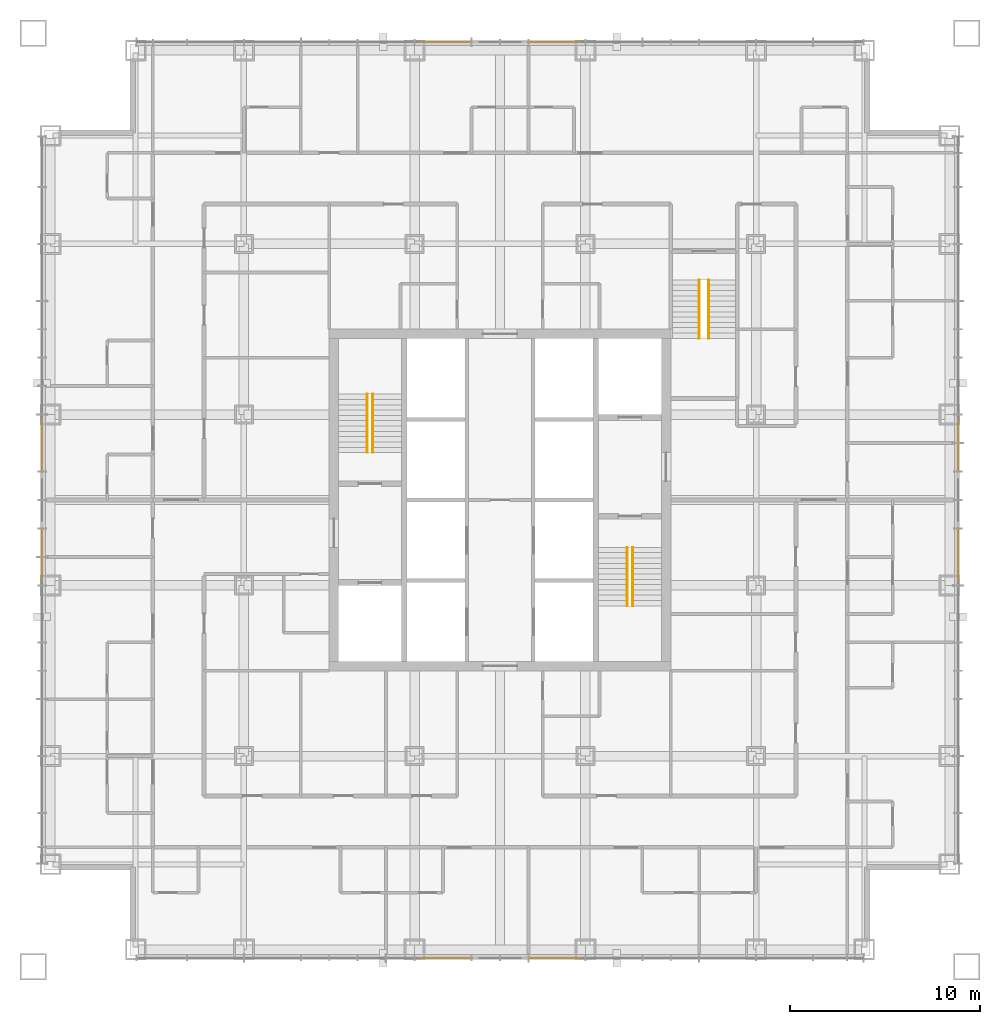
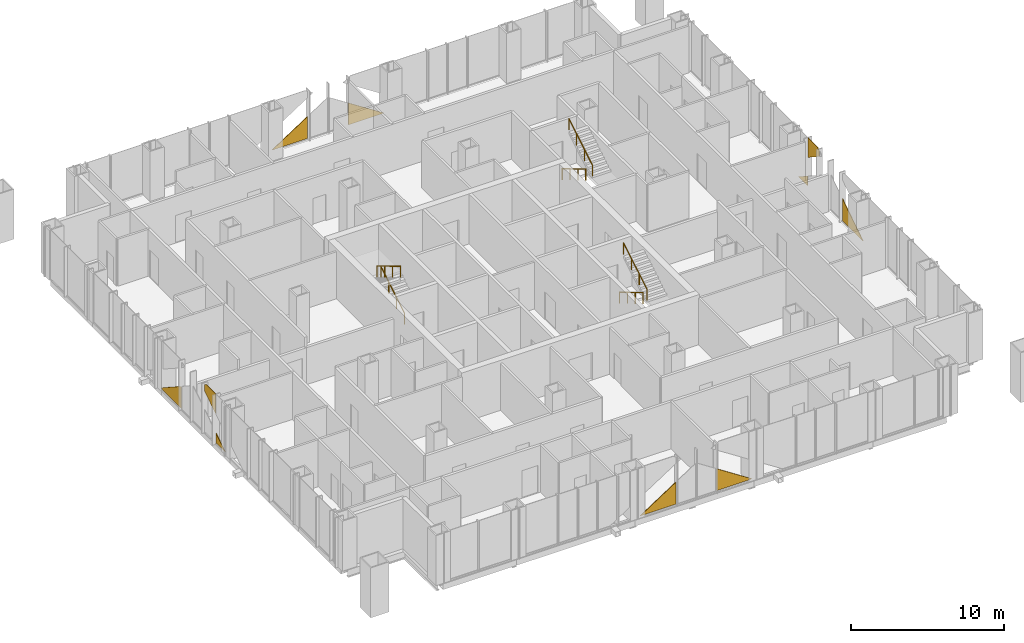
# One storey, part 14 of 16: 10 coverings, 6 railings.
"""IFC4 building model written with IfcOpenShell, lengths in metres."""

from ifc_helpers import new_model, si_unit, direction, frame, origin, origin_2d, place, context, subcontext, project, spatial, polyline, circle, outline, extrude, material, layer, layer_set, type_object, element, save


model = new_model("IFC4")

# Units and contexts
model_context = context("Model", 3, precision=1e-05, world=origin(), true_north=direction((0.0, 1.0)))
body_context = subcontext(model_context, "Body", "Model", "MODEL_VIEW")
ifc_project = project(units=[si_unit("LENGTHUNIT", "METRE"), si_unit("AREAUNIT", "SQUARE_METRE"), si_unit("VOLUMEUNIT", "CUBIC_METRE"), si_unit("PLANEANGLEUNIT", "RADIAN"), si_unit("MASSUNIT", "GRAM", prefix="KILO")], contexts=[model_context])

# Site, building, storey
site_placement = place(None, origin())
site = spatial("IfcSite", under=ifc_project, at=site_placement, CompositionType="ELEMENT")
building_placement = place(site_placement, origin())
building = spatial("IfcBuilding", under=site, at=building_placement, Name="Malebo Sky Hospital", CompositionType="ELEMENT")
storey_placement = place(building_placement, frame((0.0, 0.0, 152.0)))
storey = spatial("IfcBuildingStorey", under=building, at=storey_placement, Name="L36", CompositionType="ELEMENT", Elevation=152.0)

# Coverings
ifc_material_1 = material(Name="Anodised aluminium, natural silver insulated infill panel", Category="aluminium")
ifc_layer = layer(ifc_material_1, 0.0400390625)
ifc_layer_set = layer_set([ifc_layer], Name="BRACE INFILL PANEL 40")
covering_type = type_object("IfcCoveringType", Name="BRACE INFILL PANEL 40", PredefinedType="CLADDING", material=ifc_layer_set)
covering_1_placement = place(storey_placement, frame((57.114013671875, 86.135009765625, 0.10009765625), z_axis=(0.0, 0.0, 1.0), x_axis=(1.0, 0.0, 0.0)))
element("IfcCovering", 1, at=covering_1_placement, inside=storey, type_object=covering_type, Name="Brace infill panel 8.1", PredefinedType="CLADDING", context=body_context, shape_type="SweptSolid", body=[
    extrude(outline(polyline([(-1.348388671875, 0.0), (1.348388671875, 0.0), (1.348388671875, 1.75390625), (-1.348388671875, 0.0)])), frame((0.0, 0.02001953125, 0.0), z_axis=(0.0, -1.0, 0.0), x_axis=(1.0, 0.0, 0.0)), (0.0, 0.0, 1.0), 0.0400390625),
])
covering_2_placement = place(storey_placement, frame((62.885986328125, 86.135009765625, 0.10009765625), z_axis=(0.0, 0.0, 1.0), x_axis=(1.0, 0.0, 0.0)))
element("IfcCovering", 2, at=covering_2_placement, inside=storey, type_object=covering_type, Name="Brace infill panel 11.1", PredefinedType="CLADDING", context=body_context, shape_type="SweptSolid", body=[
    extrude(outline(polyline([(-1.348388671875, 0.0), (1.348388671875, 0.0), (-1.348388671875, 1.75390625), (-1.348388671875, 0.0)])), frame((0.0, 0.02001953125, 0.0), z_axis=(0.0, -1.0, 0.0), x_axis=(1.0, 0.0, 0.0)), (0.0, 0.0, 1.0), 0.0400390625),
])
covering_3_placement = place(storey_placement, frame((35.864990234375, 58.3642578125, 0.10009765625), z_axis=(0.0, 0.0, 1.0), x_axis=(0.0, 1.0, 0.0)))
element("IfcCovering", 3, at=covering_3_placement, inside=storey, type_object=covering_type, Name="Brace infill panel 8.1", PredefinedType="CLADDING", context=body_context, shape_type="SweptSolid", body=[
    extrude(outline(polyline([(-0.598388671875, 0.0), (0.598388671875, 0.0), (0.598388671875, 0.7783203125), (-0.598388671875, 0.0)])), frame((0.0, 0.02001953125, 0.0), z_axis=(0.0, -1.0, 0.0), x_axis=(1.0, 0.0, 0.0)), (0.0, 0.0, 1.0), 0.0400390625),
])
covering_4_placement = place(storey_placement, frame((35.864990234375, 59.75, 2.41943359375), z_axis=(0.0, 0.0, 1.0), x_axis=(0.0, 1.0, 0.0)))
element("IfcCovering", 4, at=covering_4_placement, inside=storey, type_object=covering_type, Name="Brace infill panel 9.1", PredefinedType="CLADDING", context=body_context, shape_type="SweptSolid", body=[
    extrude(outline(polyline([(-0.71240234375, 0.0), (0.71240234375, 0.927001953125), (0.71240234375, 1.4345703125), (0.50341796875, 1.570556640625), (-0.71240234375, 1.570556640625), (-0.71240234375, 0.0)])), frame((0.0, 0.02001953125, 0.0), z_axis=(0.0, -1.0, 0.0), x_axis=(1.0, 0.0, 0.0)), (0.0, 0.0, 1.0), 0.0400390625),
])
covering_5_placement = place(storey_placement, frame((35.864990234375, 64.885986328125, 0.10009765625), z_axis=(0.0, 0.0, 1.0), x_axis=(0.0, 1.0, 0.0)))
element("IfcCovering", 5, at=covering_5_placement, inside=storey, type_object=covering_type, Name="Brace infill panel 12.1", PredefinedType="CLADDING", context=body_context, shape_type="SweptSolid", body=[
    extrude(outline(polyline([(-1.348388671875, 0.0), (1.348388671875, 0.0), (-1.348388671875, 1.75390625), (-1.348388671875, 0.0)])), frame((0.0, 0.02001953125, 0.0), z_axis=(0.0, -1.0, 0.0), x_axis=(1.0, 0.0, 0.0)), (0.0, 0.0, 1.0), 0.0400390625),
])
covering_6_placement = place(storey_placement, frame((62.885986328125, 37.864990234375, 0.10009765625), z_axis=(0.0, 0.0, 1.0), x_axis=(-1.0, 0.0, 0.0)))
element("IfcCovering", 6, at=covering_6_placement, inside=storey, type_object=covering_type, Name="Brace infill panel 8.1", PredefinedType="CLADDING", context=body_context, shape_type="SweptSolid", body=[
    extrude(outline(polyline([(-1.348388671875, 0.0), (1.348388671875, 0.0), (1.348388671875, 1.75390625), (-1.348388671875, 0.0)])), frame((0.0, 0.02001953125, 0.0), z_axis=(0.0, -1.0, 0.0), x_axis=(1.0, 0.0, 0.0)), (0.0, 0.0, 1.0), 0.0400390625),
])
covering_7_placement = place(storey_placement, frame((57.114013671875, 37.864990234375, 0.10009765625), z_axis=(0.0, 0.0, 1.0), x_axis=(-1.0, 0.0, 0.0)))
element("IfcCovering", 7, at=covering_7_placement, inside=storey, type_object=covering_type, Name="Brace infill panel 11.1", PredefinedType="CLADDING", context=body_context, shape_type="SweptSolid", body=[
    extrude(outline(polyline([(-1.348388671875, 0.0), (1.348388671875, 0.0), (-1.348388671875, 1.75390625), (-1.348388671875, 0.0)])), frame((0.0, 0.02001953125, 0.0), z_axis=(0.0, -1.0, 0.0), x_axis=(1.0, 0.0, 0.0)), (0.0, 0.0, 1.0), 0.0400390625),
])
covering_8_placement = place(storey_placement, frame((84.135009765625, 65.6357421875, 0.10009765625), z_axis=(0.0, 0.0, 1.0), x_axis=(0.0, -1.0, 0.0)))
element("IfcCovering", 8, at=covering_8_placement, inside=storey, type_object=covering_type, Name="Brace infill panel 8.1", PredefinedType="CLADDING", context=body_context, shape_type="SweptSolid", body=[
    extrude(outline(polyline([(-0.598388671875, 0.0), (0.598388671875, 0.0), (0.598388671875, 0.7783203125), (-0.598388671875, 0.0)])), frame((0.0, 0.02001953125, 0.0), z_axis=(0.0, -1.0, 0.0), x_axis=(1.0, 0.0, 0.0)), (0.0, 0.0, 1.0), 0.0400390625),
])
covering_9_placement = place(storey_placement, frame((84.135009765625, 64.25, 2.41943359375), z_axis=(0.0, 0.0, 1.0), x_axis=(0.0, -1.0, 0.0)))
element("IfcCovering", 9, at=covering_9_placement, inside=storey, type_object=covering_type, Name="Brace infill panel 9.1", PredefinedType="CLADDING", context=body_context, shape_type="SweptSolid", body=[
    extrude(outline(polyline([(-0.71240234375, 0.0), (0.71240234375, 0.927001953125), (0.71240234375, 1.4345703125), (0.50341796875, 1.570556640625), (-0.71240234375, 1.570556640625), (-0.71240234375, 0.0)])), frame((0.0, 0.02001953125, 0.0), z_axis=(0.0, -1.0, 0.0), x_axis=(1.0, 0.0, 0.0)), (0.0, 0.0, 1.0), 0.0400390625),
])
covering_10_placement = place(storey_placement, frame((84.135009765625, 59.114013671875, 0.10009765625), z_axis=(0.0, 0.0, 1.0), x_axis=(0.0, -1.0, 0.0)))
element("IfcCovering", 10, at=covering_10_placement, inside=storey, type_object=covering_type, Name="Brace infill panel 12.1", PredefinedType="CLADDING", context=body_context, shape_type="SweptSolid", body=[
    extrude(outline(polyline([(-1.348388671875, 0.0), (1.348388671875, 0.0), (-1.348388671875, 1.75390625), (-1.348388671875, 0.0)])), frame((0.0, 0.02001953125, 0.0), z_axis=(0.0, -1.0, 0.0), x_axis=(1.0, 0.0, 0.0)), (0.0, 0.0, 1.0), 0.0400390625),
])

# Railings
ifc_material_2 = material(Name="Stainless steel tube", Category="steel")
railing_type = type_object("IfcRailingType", Name="STAIR HANDRAIL 900", PredefinedType="HANDRAIL", material=ifc_material_2)
railing_1_placement = place(storey_placement, frame((53.300048828125, 64.5, 0.166748046875)))
element("IfcRailing", 11, at=railing_1_placement, inside=storey, type_object=railing_type, Name="Stair handrail S1 flight 1", PredefinedType="HANDRAIL", context=body_context, shape_type="SweptSolid", body=[
    extrude(circle(Radius=0.02392578125, at=origin_2d()), frame((0.0, 0.0, 0.8759765625), z_axis=(0.0, 0.859308565015, 0.511457515432), x_axis=(-1.0, 0.0, 0.0)), (0.0, 0.0, 1.0), 3.58447265625),
    extrude(circle(Radius=0.02099609375, at=origin_2d()), origin(), (0.0, 0.0, 1.0), 0.851806640625),
    extrude(circle(Radius=0.02099609375, at=origin_2d()), frame((0.0, 1.026611328125, 0.611083984375)), (0.0, 0.0, 1.0), 0.851806640625),
    extrude(circle(Radius=0.02099609375, at=origin_2d()), frame((0.0, 2.053466796875, 1.22216796875)), (0.0, 0.0, 1.0), 0.851806640625),
    extrude(circle(Radius=0.02099609375, at=origin_2d()), frame((0.0, 3.080078125, 1.833251953125)), (0.0, 0.0, 1.0), 0.851806640625),
])
for number, where, name in (
    (12, (53.0, 67.580078125, 2.166748046875), "Stair handrail S1 flight 2"),
    (13, (66.699951171875, 59.5, 0.166748046875), "Stair handrail S2 flight 1"),
):
    element("IfcRailing", number, at=place(storey_placement, frame(where)), inside=storey, type_object=railing_type, Name=name, PredefinedType="HANDRAIL", context=body_context, shape_type="SweptSolid", body=[
        extrude(circle(Radius=0.02392578125, at=origin_2d()), frame((0.0, 0.0, 0.8759765625), z_axis=(0.0, -0.859308565015, 0.511457515432), x_axis=(1.0, 0.0, 0.0)), (0.0, 0.0, 1.0), 3.58447265625),
        extrude(circle(Radius=0.02099609375, at=origin_2d()), origin(), (0.0, 0.0, 1.0), 0.851806640625),
        extrude(circle(Radius=0.02099609375, at=origin_2d()), frame((0.0, -1.026611328125, 0.611083984375)), (0.0, 0.0, 1.0), 0.851806640625),
        extrude(circle(Radius=0.02099609375, at=origin_2d()), frame((0.0, -2.053466796875, 1.22216796875)), (0.0, 0.0, 1.0), 0.851806640625),
        extrude(circle(Radius=0.02099609375, at=origin_2d()), frame((0.0, -3.080078125, 1.833251953125)), (0.0, 0.0, 1.0), 0.851806640625),
    ])
railing_2_placement = place(storey_placement, frame((67.0, 56.419921875, 2.166748046875)))
element("IfcRailing", 14, at=railing_2_placement, inside=storey, type_object=railing_type, Name="Stair handrail S2 flight 2", PredefinedType="HANDRAIL", context=body_context, shape_type="SweptSolid", body=[
    extrude(circle(Radius=0.02392578125, at=origin_2d()), frame((0.0, 0.0, 0.8759765625), z_axis=(0.0, 0.859308565015, 0.511457515432), x_axis=(-1.0, 0.0, 0.0)), (0.0, 0.0, 1.0), 3.58447265625),
    extrude(circle(Radius=0.02099609375, at=origin_2d()), origin(), (0.0, 0.0, 1.0), 0.851806640625),
    extrude(circle(Radius=0.02099609375, at=origin_2d()), frame((0.0, 1.026611328125, 0.611083984375)), (0.0, 0.0, 1.0), 0.851806640625),
    extrude(circle(Radius=0.02099609375, at=origin_2d()), frame((0.0, 2.053466796875, 1.22216796875)), (0.0, 0.0, 1.0), 0.851806640625),
    extrude(circle(Radius=0.02099609375, at=origin_2d()), frame((0.0, 3.080078125, 1.833251953125)), (0.0, 0.0, 1.0), 0.851806640625),
])
railing_3_placement = place(storey_placement, frame((70.5, 73.60009765625, 0.166748046875)))
element("IfcRailing", 15, at=railing_3_placement, inside=storey, type_object=railing_type, Name="Stair handrail S3 flight 1", PredefinedType="HANDRAIL", context=body_context, shape_type="SweptSolid", body=[
    extrude(circle(Radius=0.02392578125, at=origin_2d()), frame((0.0, 0.0, 0.8759765625), z_axis=(0.0, -0.859308565015, 0.511457515432), x_axis=(1.0, 0.0, 0.0)), (0.0, 0.0, 1.0), 3.58447265625),
    extrude(circle(Radius=0.02099609375, at=origin_2d()), origin(), (0.0, 0.0, 1.0), 0.851806640625),
    extrude(circle(Radius=0.02099609375, at=origin_2d()), frame((0.0, -1.026611328125, 0.611083984375)), (0.0, 0.0, 1.0), 0.851806640625),
    extrude(circle(Radius=0.02099609375, at=origin_2d()), frame((0.0, -2.053466796875, 1.22216796875)), (0.0, 0.0, 1.0), 0.851806640625),
    extrude(circle(Radius=0.02099609375, at=origin_2d()), frame((0.0, -3.080078125, 1.833251953125)), (0.0, 0.0, 1.0), 0.851806640625),
])
railing_4_placement = place(storey_placement, frame((71.0, 70.52001953125, 2.166748046875)))
element("IfcRailing", 16, at=railing_4_placement, inside=storey, type_object=railing_type, Name="Stair handrail S3 flight 2", PredefinedType="HANDRAIL", context=body_context, shape_type="SweptSolid", body=[
    extrude(circle(Radius=0.02392578125, at=origin_2d()), frame((0.0, 0.0, 0.8759765625), z_axis=(0.0, 0.859308565015, 0.511457515432), x_axis=(-1.0, 0.0, 0.0)), (0.0, 0.0, 1.0), 3.58447265625),
    extrude(circle(Radius=0.02099609375, at=origin_2d()), origin(), (0.0, 0.0, 1.0), 0.851806640625),
    extrude(circle(Radius=0.02099609375, at=origin_2d()), frame((0.0, 1.026611328125, 0.611083984375)), (0.0, 0.0, 1.0), 0.851806640625),
    extrude(circle(Radius=0.02099609375, at=origin_2d()), frame((0.0, 2.053466796875, 1.22216796875)), (0.0, 0.0, 1.0), 0.851806640625),
    extrude(circle(Radius=0.02099609375, at=origin_2d()), frame((0.0, 3.080078125, 1.833251953125)), (0.0, 0.0, 1.0), 0.851806640625),
])

save(model, "model.ifc")
